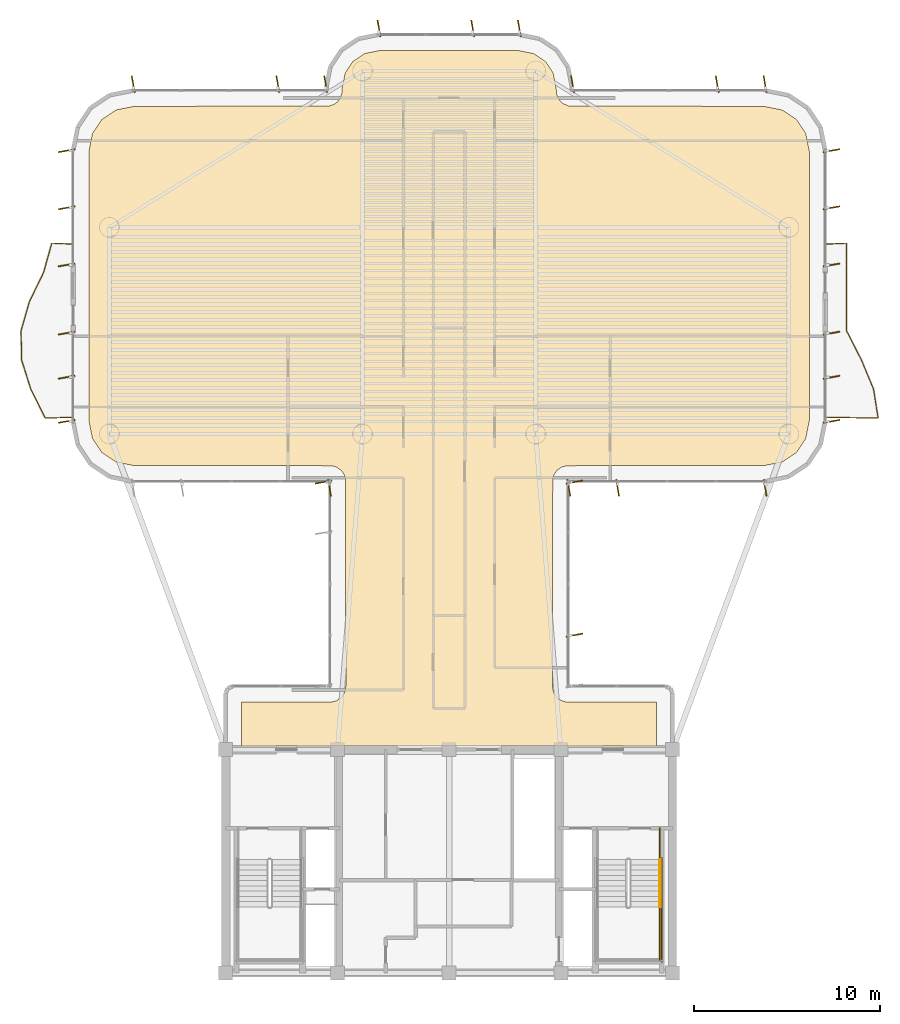
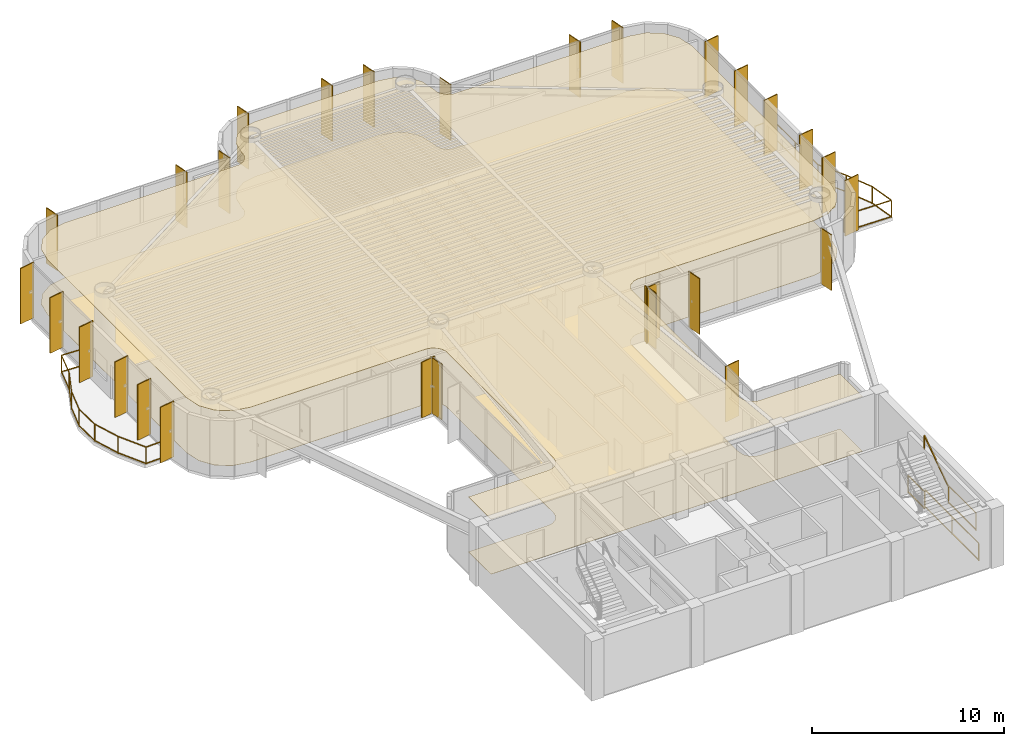
# One storey, part 14 of 14: 28 shading devices, 6 railings, 2 coverings.
"""IFC4 building model written with IfcOpenShell, lengths in metres."""

from ifc_helpers import new_model, si_unit, direction, frame, origin, origin_2d, place, context, subcontext, project, spatial, polyline, rectangle, outline, extrude, source, transform, mapped, material, layer, layer_set, material_profile, profile_set, type_object, element, save


model = new_model("IFC4")

# Units and contexts
model_context = context("Model", 3, precision=1e-05, world=origin(), true_north=direction((0.0, 1.0)))
body_context = subcontext(model_context, "Body", "Model", "MODEL_VIEW")
ifc_project = project(units=[si_unit("LENGTHUNIT", "METRE"), si_unit("AREAUNIT", "SQUARE_METRE"), si_unit("VOLUMEUNIT", "CUBIC_METRE"), si_unit("PLANEANGLEUNIT", "RADIAN"), si_unit("MASSUNIT", "GRAM", prefix="KILO")], contexts=[model_context])

# Site, building, storey
site_placement = place(None, origin())
site = spatial("IfcSite", under=ifc_project, at=site_placement, CompositionType="ELEMENT")
building_placement = place(site_placement, origin())
building = spatial("IfcBuilding", under=site, at=building_placement, Name="Brelvock Crest Care Tower", CompositionType="ELEMENT")
storey_placement = place(building_placement, frame((0.0, 0.0, 179.10009765625)))
storey = spatial("IfcBuildingStorey", under=building, at=storey_placement, Name="L45", CompositionType="ELEMENT", Elevation=179.10009765625)

# Coverings
ifc_material_1 = material(Name="Mineral Fibre Acoustic Ceiling Tile", Category="gypsum")
ifc_layer_1 = layer(ifc_material_1, 0.02490234375, Name="COV-CLG1")
ifc_layer_set_1 = layer_set([ifc_layer_1], Name="Mineral Fibre Acoustic Ceiling Tile")
covering_type_1 = type_object("IfcCoveringType", Name="COV-CLG1", PredefinedType="CEILING", material=ifc_layer_set_1)
covering_1_placement = place(storey_placement, frame((0.0, 0.0, 3.474853515625)))
element("IfcCovering", 1, at=covering_1_placement, inside=storey, type_object=covering_type_1, Name="L45 Acoustic Suspended Ceiling 1", PredefinedType="CEILING", context=body_context, shape_type="SweptSolid", body=[
    extrude(outline(polyline([(24.85009765625, 18.199951171875), (47.14990234375, 18.199951171875), (47.14990234375, 20.550048828125), (42.316650390625, 20.55419921875), (42.1533203125, 20.586669921875), (41.927734375, 20.693359375), (41.742919921875, 20.86083984375), (41.61474609375, 21.07470703125), (41.550048828125, 21.39990234375), (41.56640625, 32.56591796875), (41.650390625, 32.80078125), (41.799072265625, 33.0009765625), (42.07470703125, 33.185302734375), (42.316650390625, 33.245849609375), (52.916259765625, 33.25), (53.892822265625, 33.4443359375), (54.64990234375, 33.9501953125), (55.15576171875, 34.70703125), (55.35009765625, 35.68359375), (55.35009765625, 50.1162109375), (55.15576171875, 51.093017578125), (54.64990234375, 51.849853515625), (53.892822265625, 52.355712890625), (52.916259765625, 52.550048828125), (42.43408203125, 52.56640625), (42.127685546875, 52.693359375), (41.9990234375, 52.799072265625), (41.850341796875, 52.999267578125), (41.766357421875, 53.234130859375), (41.75, 53.516357421875), (41.586181640625, 54.33984375), (41.1669921875, 54.967041015625), (40.539794921875, 55.38623046875), (39.71630859375, 55.550048828125), (32.28369140625, 55.550048828125), (31.460205078125, 55.38623046875), (30.8330078125, 54.967041015625), (30.413818359375, 54.33984375), (30.25, 53.516357421875), (30.233642578125, 53.234130859375), (30.149658203125, 52.999267578125), (30.0009765625, 52.799072265625), (29.872314453125, 52.693359375), (29.56591796875, 52.56640625), (19.083740234375, 52.550048828125), (18.107177734375, 52.355712890625), (17.35009765625, 51.849853515625), (16.84423828125, 51.093017578125), (16.64990234375, 50.1162109375), (16.64990234375, 35.68359375), (16.84423828125, 34.70703125), (17.35009765625, 33.9501953125), (18.107177734375, 33.4443359375), (19.083740234375, 33.25), (29.683349609375, 33.245849609375), (29.92529296875, 33.185302734375), (30.200927734375, 33.0009765625), (30.349609375, 32.80078125), (30.43359375, 32.56591796875), (30.449951171875, 21.39990234375), (30.38525390625, 21.07470703125), (30.257080078125, 20.86083984375), (30.13916015625, 20.742919921875), (29.92529296875, 20.61474609375), (29.683349609375, 20.55419921875), (24.85009765625, 20.550048828125), (24.85009765625, 18.199951171875)])), origin(), (0.0, 0.0, 1.0), 0.025146484375),
])
ifc_material_2 = material(Name="Slip-Resistant Acoustic Vinyl Flooring", Category="finish")
ifc_layer_2 = layer(ifc_material_2, 0.014892578125, Name="COV-FLR1")
ifc_layer_set_2 = layer_set([ifc_layer_2], Name="Slip-Resistant Acoustic Vinyl Flooring")
covering_type_2 = type_object("IfcCoveringType", Name="COV-FLR1", PredefinedType="FLOORING", material=ifc_layer_set_2)
covering_2_placement = place(storey_placement, origin())
element("IfcCovering", 2, at=covering_2_placement, inside=storey, type_object=covering_type_2, Name="L45 Slip-Resistant Acoustic Flooring 1", PredefinedType="FLOORING", context=body_context, shape_type="SweptSolid", body=[
    extrude(outline(polyline([(24.85009765625, 18.199951171875), (47.14990234375, 18.199951171875), (47.14990234375, 20.550048828125), (42.316650390625, 20.55419921875), (42.1533203125, 20.586669921875), (41.927734375, 20.693359375), (41.742919921875, 20.86083984375), (41.61474609375, 21.07470703125), (41.550048828125, 21.39990234375), (41.56640625, 32.56591796875), (41.650390625, 32.80078125), (41.799072265625, 33.0009765625), (42.07470703125, 33.185302734375), (42.316650390625, 33.245849609375), (52.916259765625, 33.25), (53.892822265625, 33.4443359375), (54.64990234375, 33.9501953125), (55.15576171875, 34.70703125), (55.35009765625, 35.68359375), (55.35009765625, 50.1162109375), (55.15576171875, 51.093017578125), (54.64990234375, 51.849853515625), (53.892822265625, 52.355712890625), (52.916259765625, 52.550048828125), (42.43408203125, 52.56640625), (42.127685546875, 52.693359375), (41.9990234375, 52.799072265625), (41.850341796875, 52.999267578125), (41.766357421875, 53.234130859375), (41.75, 53.516357421875), (41.586181640625, 54.33984375), (41.1669921875, 54.967041015625), (40.539794921875, 55.38623046875), (39.71630859375, 55.550048828125), (32.28369140625, 55.550048828125), (31.460205078125, 55.38623046875), (30.8330078125, 54.967041015625), (30.413818359375, 54.33984375), (30.25, 53.516357421875), (30.233642578125, 53.234130859375), (30.149658203125, 52.999267578125), (30.0009765625, 52.799072265625), (29.872314453125, 52.693359375), (29.56591796875, 52.56640625), (19.083740234375, 52.550048828125), (18.107177734375, 52.355712890625), (17.35009765625, 51.849853515625), (16.84423828125, 51.093017578125), (16.64990234375, 50.1162109375), (16.64990234375, 35.68359375), (16.84423828125, 34.70703125), (17.35009765625, 33.9501953125), (18.107177734375, 33.4443359375), (19.083740234375, 33.25), (29.683349609375, 33.245849609375), (29.92529296875, 33.185302734375), (30.200927734375, 33.0009765625), (30.349609375, 32.80078125), (30.43359375, 32.56591796875), (30.449951171875, 21.39990234375), (30.38525390625, 21.07470703125), (30.257080078125, 20.86083984375), (30.13916015625, 20.742919921875), (29.92529296875, 20.61474609375), (29.683349609375, 20.55419921875), (24.85009765625, 20.550048828125), (24.85009765625, 18.199951171875)])), origin(), (0.0, 0.0, 1.0), 0.014892578125),
])

# Railings
ifc_material_3 = material(Name="Dark Glass Double Glazed Low-E", Category="glass")
ifc_layer_3 = layer(ifc_material_3, 0.06005859375, Name="RL-BAL1")
ifc_layer_set_3 = layer_set([ifc_layer_3], Name="Dark Glass Double Glazed Low-E")
railing_type_1 = type_object("IfcRailingType", Name="RL-BAL1", PredefinedType="BALUSTRADE", material=ifc_layer_set_3)
railing_1_placement = place(storey_placement, frame((15.760009765625, 35.85009765625, 0.00390625)))
element("IfcRailing", 3, at=railing_1_placement, inside=storey, type_object=railing_type_1, Name="L45 Safety Balustrade WB-W", PredefinedType="BALUSTRADE", context=body_context, shape_type="SweptSolid", body=[
    extrude(rectangle(XDim=0.048095703125, YDim=0.048095703125, at=origin_2d()), frame((-0.001953125, 0.0, 1.09619140625), z_axis=(-0.999404799616, -0.034497050669, 0.0), x_axis=(0.034497050669, -0.999404799616, 0.0)), (0.0, 0.0, 1.0), 1.44677734375),
    extrude(rectangle(XDim=0.048095703125, YDim=0.048095703125, at=origin_2d()), frame((-0.001953125, 0.0, 0.054931640625), z_axis=(-0.999404799616, -0.034497050669, 0.0), x_axis=(0.034497050669, -0.999404799616, 0.0)), (0.0, 0.0, 1.0), 1.44677734375),
    extrude(rectangle(XDim=0.048095703125, YDim=0.048095703125, at=origin_2d()), frame((-1.450927734375, -0.04833984375, 1.09619140625), z_axis=(-0.44525902638, 0.895401808925, 0.0), x_axis=(-0.895401808925, -0.44525902638, 0.0)), (0.0, 0.0, 1.0), 1.74560546875),
    extrude(rectangle(XDim=0.048095703125, YDim=0.048095703125, at=origin_2d()), frame((-1.450927734375, -0.04833984375, 0.054931640625), z_axis=(-0.44525902638, 0.895401808925, 0.0), x_axis=(-0.895401808925, -0.44525902638, 0.0)), (0.0, 0.0, 1.0), 1.74560546875),
    extrude(rectangle(XDim=0.048095703125, YDim=0.048095703125, at=origin_2d()), frame((-2.2294921875, 1.5185546875, 1.09619140625), z_axis=(-0.300533785951, 0.95377116936, 0.0), x_axis=(-0.95377116936, -0.300533785951, 0.0)), (0.0, 0.0, 1.0), 1.638671875),
    extrude(rectangle(XDim=0.048095703125, YDim=0.048095703125, at=origin_2d()), frame((-2.2294921875, 1.5185546875, 0.054931640625), z_axis=(-0.300533785951, 0.95377116936, 0.0), x_axis=(-0.95377116936, -0.300533785951, 0.0)), (0.0, 0.0, 1.0), 1.638671875),
    extrude(rectangle(XDim=0.048095703125, YDim=0.048095703125, at=origin_2d()), frame((-2.72265625, 3.085205078125, 1.09619140625), z_axis=(-0.016983680628, 0.999855766895, 0.0), x_axis=(-0.999855766895, -0.016983680628, 0.0)), (0.0, 0.0, 1.0), 1.56298828125),
    extrude(rectangle(XDim=0.048095703125, YDim=0.048095703125, at=origin_2d()), frame((-2.72265625, 3.085205078125, 0.054931640625), z_axis=(-0.016983680628, 0.999855766895, 0.0), x_axis=(-0.999855766895, -0.016983680628, 0.0)), (0.0, 0.0, 1.0), 1.56298828125),
    extrude(rectangle(XDim=0.048095703125, YDim=0.048095703125, at=origin_2d()), frame((-2.748779296875, 4.65185546875, 1.09619140625), z_axis=(0.275907910991, 0.961184074282, 0.0), x_axis=(-0.961184074282, 0.275907910991, 0.0)), (0.0, 0.0, 1.0), 1.6259765625),
    extrude(rectangle(XDim=0.048095703125, YDim=0.048095703125, at=origin_2d()), frame((-2.748779296875, 4.65185546875, 0.054931640625), z_axis=(0.275907910991, 0.961184074282, 0.0), x_axis=(-0.961184074282, 0.275907910991, 0.0)), (0.0, 0.0, 1.0), 1.6259765625),
    extrude(rectangle(XDim=0.048095703125, YDim=0.048095703125, at=origin_2d()), frame((-2.298583984375, 6.21826171875, 1.09619140625), z_axis=(0.437036809921, 0.899443620675, 0.0), x_axis=(-0.899443620675, 0.437036809921, 0.0)), (0.0, 0.0, 1.0), 1.73779296875),
    extrude(rectangle(XDim=0.048095703125, YDim=0.048095703125, at=origin_2d()), frame((-2.298583984375, 6.21826171875, 0.054931640625), z_axis=(0.437036809921, 0.899443620675, 0.0), x_axis=(-0.899443620675, 0.437036809921, 0.0)), (0.0, 0.0, 1.0), 1.73779296875),
    extrude(rectangle(XDim=0.048095703125, YDim=0.048095703125, at=origin_2d()), frame((-1.537841796875, 7.78515625, 1.09619140625), z_axis=(0.269384986944, 0.963032568924, 0.0), x_axis=(-0.963032568924, 0.269384986944, 0.0)), (0.0, 0.0, 1.0), 1.622802734375),
    extrude(rectangle(XDim=0.048095703125, YDim=0.048095703125, at=origin_2d()), frame((-1.537841796875, 7.78515625, 0.054931640625), z_axis=(0.269384986944, 0.963032568924, 0.0), x_axis=(-0.963032568924, 0.269384986944, 0.0)), (0.0, 0.0, 1.0), 1.622802734375),
    extrude(rectangle(XDim=0.048095703125, YDim=0.048095703125, at=origin_2d()), frame((-1.09814453125, 9.349853515625, 1.09619140625), z_axis=(0.998966710972, -0.045447886318, 0.0), x_axis=(0.045447886318, 0.998966710972, 0.0)), (0.0, 0.0, 1.0), 1.09716796875),
    extrude(rectangle(XDim=0.048095703125, YDim=0.048095703125, at=origin_2d()), frame((-1.09814453125, 9.349853515625, 0.054931640625), z_axis=(0.998966710972, -0.045447886318, 0.0), x_axis=(0.045447886318, 0.998966710972, 0.0)), (0.0, 0.0, 1.0), 1.09716796875),
    extrude(rectangle(XDim=0.0419921875, YDim=0.0419921875, at=origin_2d()), origin(), (0.0, 0.0, 1.0), 1.070068359375),
    extrude(rectangle(XDim=0.0419921875, YDim=0.0419921875, at=origin_2d()), frame((-1.449951171875, -0.050048828125, 0.0)), (0.0, 0.0, 1.0), 1.070068359375),
    extrude(rectangle(XDim=0.0419921875, YDim=0.0419921875, at=origin_2d()), frame((-2.22900390625, 1.5166015625, 0.0)), (0.0, 0.0, 1.0), 1.070068359375),
    extrude(rectangle(XDim=0.0419921875, YDim=0.0419921875, at=origin_2d()), frame((-2.72265625, 3.083251953125, 0.0)), (0.0, 0.0, 1.0), 1.070068359375),
    extrude(rectangle(XDim=0.0419921875, YDim=0.0419921875, at=origin_2d()), frame((-2.749267578125, 4.64990234375, 0.0)), (0.0, 0.0, 1.0), 1.070068359375),
    extrude(rectangle(XDim=0.0419921875, YDim=0.0419921875, at=origin_2d()), frame((-2.299560546875, 6.216552734375, 0.0)), (0.0, 0.0, 1.0), 1.070068359375),
    extrude(rectangle(XDim=0.0419921875, YDim=0.0419921875, at=origin_2d()), frame((-1.538330078125, 7.783203125, 0.0)), (0.0, 0.0, 1.0), 1.070068359375),
    extrude(rectangle(XDim=0.0419921875, YDim=0.0419921875, at=origin_2d()), frame((-1.10009765625, 9.349853515625, 0.0)), (0.0, 0.0, 1.0), 1.070068359375),
    extrude(rectangle(XDim=0.0419921875, YDim=0.0419921875, at=origin_2d()), frame((0.0, 9.2998046875, 0.0)), (0.0, 0.0, 1.0), 1.070068359375),
])
railing_2_placement = place(storey_placement, frame((56.239990234375, 35.85009765625, 0.00390625)))
element("IfcRailing", 4, at=railing_2_placement, inside=storey, type_object=railing_type_1, Name="L45 Safety Balustrade WB-E", PredefinedType="BALUSTRADE", context=body_context, shape_type="SweptSolid", body=[
    extrude(rectangle(XDim=0.048095703125, YDim=0.048095703125, at=origin_2d()), frame((0.001953125, 0.0, 1.09619140625), z_axis=(0.999840293507, -0.017871415134, 0.0), x_axis=(0.017871415134, 0.999840293507, 0.0)), (0.0, 0.0, 1.0), 2.79638671875),
    extrude(rectangle(XDim=0.048095703125, YDim=0.048095703125, at=origin_2d()), frame((0.001953125, 0.0, 0.054931640625), z_axis=(0.999840293507, -0.017871415134, 0.0), x_axis=(0.017871415134, 0.999840293507, 0.0)), (0.0, 0.0, 1.0), 2.79638671875),
    extrude(rectangle(XDim=0.048095703125, YDim=0.048095703125, at=origin_2d()), frame((2.7998046875, -0.048095703125, 1.09619140625), z_axis=(-0.156081137103, 0.987744237463, 0.0), x_axis=(-0.987744237463, -0.156081137103, 0.0)), (0.0, 0.0, 1.0), 1.58203125),
    extrude(rectangle(XDim=0.048095703125, YDim=0.048095703125, at=origin_2d()), frame((2.7998046875, -0.048095703125, 0.054931640625), z_axis=(-0.156081137103, 0.987744237463, 0.0), x_axis=(-0.987744237463, -0.156081137103, 0.0)), (0.0, 0.0, 1.0), 1.58203125),
    extrude(rectangle(XDim=0.048095703125, YDim=0.048095703125, at=origin_2d()), frame((2.5517578125, 1.5185546875, 1.09619140625), z_axis=(-0.384155606782, 0.923268362817, 0.0), x_axis=(-0.923268362817, -0.384155606782, 0.0)), (0.0, 0.0, 1.0), 1.69287109375),
    extrude(rectangle(XDim=0.048095703125, YDim=0.048095703125, at=origin_2d()), frame((2.5517578125, 1.5185546875, 0.054931640625), z_axis=(-0.384155606782, 0.923268362817, 0.0), x_axis=(-0.923268362817, -0.384155606782, 0.0)), (0.0, 0.0, 1.0), 1.69287109375),
    extrude(rectangle(XDim=0.048095703125, YDim=0.048095703125, at=origin_2d()), frame((1.899658203125, 3.0849609375, 1.09619140625), z_axis=(-0.455023036608, 0.890479666335, 0.0), x_axis=(-0.890479666335, -0.455023036608, 0.0)), (0.0, 0.0, 1.0), 1.75537109375),
    extrude(rectangle(XDim=0.048095703125, YDim=0.048095703125, at=origin_2d()), frame((1.899658203125, 3.0849609375, 0.054931640625), z_axis=(-0.455023036608, 0.890479666335, 0.0), x_axis=(-0.890479666335, -0.455023036608, 0.0)), (0.0, 0.0, 1.0), 1.75537109375),
    extrude(rectangle(XDim=0.048095703125, YDim=0.048095703125, at=origin_2d()), frame((1.10009765625, 4.65185546875, 1.09619140625), z_axis=(0.0, 1.0, 0.0), x_axis=(-1.0, 0.0, 0.0)), (0.0, 0.0, 1.0), 4.696044921875),
    extrude(rectangle(XDim=0.048095703125, YDim=0.048095703125, at=origin_2d()), frame((1.10009765625, 4.65185546875, 0.054931640625), z_axis=(0.0, 1.0, 0.0), x_axis=(-1.0, 0.0, 0.0)), (0.0, 0.0, 1.0), 4.696044921875),
    extrude(rectangle(XDim=0.048095703125, YDim=0.048095703125, at=origin_2d()), frame((1.09814453125, 9.349853515625, 1.09619140625), z_axis=(-0.998966710972, -0.045447886318, 0.0), x_axis=(0.045447886318, -0.998966710972, 0.0)), (0.0, 0.0, 1.0), 1.09716796875),
    extrude(rectangle(XDim=0.048095703125, YDim=0.048095703125, at=origin_2d()), frame((1.09814453125, 9.349853515625, 0.054931640625), z_axis=(-0.998966710972, -0.045447886318, 0.0), x_axis=(0.045447886318, -0.998966710972, 0.0)), (0.0, 0.0, 1.0), 1.09716796875),
    extrude(rectangle(XDim=0.0419921875, YDim=0.0419921875, at=origin_2d()), origin(), (0.0, 0.0, 1.0), 1.070068359375),
    extrude(rectangle(XDim=0.0419921875, YDim=0.0419921875, at=origin_2d()), frame((2.800048828125, -0.050048828125, 0.0)), (0.0, 0.0, 1.0), 1.070068359375),
    extrude(rectangle(XDim=0.0419921875, YDim=0.0419921875, at=origin_2d()), frame((2.552490234375, 1.5166015625, 0.0)), (0.0, 0.0, 1.0), 1.070068359375),
    extrude(rectangle(XDim=0.0419921875, YDim=0.0419921875, at=origin_2d()), frame((1.900634765625, 3.083251953125, 0.0)), (0.0, 0.0, 1.0), 1.070068359375),
    extrude(rectangle(XDim=0.0419921875, YDim=0.0419921875, at=origin_2d()), frame((1.10009765625, 4.64990234375, 0.0)), (0.0, 0.0, 1.0), 1.070068359375),
    extrude(rectangle(XDim=0.0419921875, YDim=0.0419921875, at=origin_2d()), frame((1.10009765625, 7.0, 0.0)), (0.0, 0.0, 1.0), 1.070068359375),
    extrude(rectangle(XDim=0.0419921875, YDim=0.0419921875, at=origin_2d()), frame((1.10009765625, 9.349853515625, 0.0)), (0.0, 0.0, 1.0), 1.070068359375),
    extrude(rectangle(XDim=0.0419921875, YDim=0.0419921875, at=origin_2d()), frame((0.0, 9.2998046875, 0.0)), (0.0, 0.0, 1.0), 1.070068359375),
])
ifc_material_4 = material(Name="Steel Grade 350", Category="steel")
ifc_layer_4 = layer(ifc_material_4, 0.050048828125, Name="RL-STG1")
ifc_layer_set_4 = layer_set([ifc_layer_4], Name="Steel Grade 350")
railing_type_2 = type_object("IfcRailingType", Name="RL-STG1", PredefinedType="GUARDRAIL", material=ifc_layer_set_4)
railing_3_placement = place(storey_placement, frame((47.320068359375, 9.56005859375, 1.889892578125)))
element("IfcRailing", 5, at=railing_3_placement, inside=storey, type_object=railing_type_2, Name="L45 ST-2 stair guard 4", PredefinedType="GUARDRAIL", context=body_context, shape_type="SweptSolid", body=[
    extrude(rectangle(XDim=0.048095703125, YDim=0.048095703125, at=origin_2d()), frame((0.0, -0.001953125, 1.11572265625), z_axis=(0.0, -1.0, 0.0), x_axis=(1.0, 0.0, 0.0)), (0.0, 0.0, 1.0), 2.856201171875),
    extrude(rectangle(XDim=0.048095703125, YDim=0.048095703125, at=origin_2d()), frame((0.0, -0.001953125, 0.054931640625), z_axis=(0.0, -1.0, 0.0), x_axis=(1.0, 0.0, 0.0)), (0.0, 0.0, 1.0), 2.856201171875),
    extrude(rectangle(XDim=0.0419921875, YDim=0.0419921875, at=origin_2d()), origin(), (0.0, 0.0, 1.0), 1.08984375),
    extrude(rectangle(XDim=0.0419921875, YDim=0.0419921875, at=origin_2d()), frame((0.0, -2.860107421875, 0.0)), (0.0, 0.0, 1.0), 1.08984375),
])
railing_4_placement = place(storey_placement, frame((47.320068359375, 13.780029296875, 0.0)))
element("IfcRailing", 6, at=railing_4_placement, inside=storey, type_object=railing_type_2, Name="L45 ST-2 stair guard 9", PredefinedType="GUARDRAIL", context=body_context, shape_type="SweptSolid", body=[
    extrude(rectangle(XDim=0.048095703125, YDim=0.048095703125, at=origin_2d()), frame((0.0, -0.001953125, 1.11572265625), z_axis=(0.0, -1.0, 0.0), x_axis=(1.0, 0.0, 0.0)), (0.0, 0.0, 1.0), 1.696044921875),
    extrude(rectangle(XDim=0.048095703125, YDim=0.048095703125, at=origin_2d()), frame((0.0, -0.001953125, 0.054931640625), z_axis=(0.0, -1.0, 0.0), x_axis=(1.0, 0.0, 0.0)), (0.0, 0.0, 1.0), 1.696044921875),
    extrude(rectangle(XDim=0.0419921875, YDim=0.0419921875, at=origin_2d()), origin(), (0.0, 0.0, 1.0), 1.08984375),
    extrude(rectangle(XDim=0.0419921875, YDim=0.0419921875, at=origin_2d()), frame((0.0, -1.699951171875, 0.0)), (0.0, 0.0, 1.0), 1.08984375),
])
railing_5_placement = place(storey_placement, frame((47.419921875, 12.179931640625, 0.0)))
element("IfcRailing", 7, at=railing_5_placement, inside=storey, type_object=railing_type_2, Name="L45 ST-2 stair guard 11", PredefinedType="GUARDRAIL", context=body_context, shape_type="SweptSolid", body=[
    extrude(rectangle(XDim=0.048095703125, YDim=0.048095703125, at=origin_2d()), frame((0.0, -0.001953125, 1.11572265625), z_axis=(0.0, -1.0, 0.0), x_axis=(1.0, 0.0, 0.0)), (0.0, 0.0, 1.0), 5.575927734375),
    extrude(rectangle(XDim=0.048095703125, YDim=0.048095703125, at=origin_2d()), frame((0.0, -0.001953125, 0.054931640625), z_axis=(0.0, -1.0, 0.0), x_axis=(1.0, 0.0, 0.0)), (0.0, 0.0, 1.0), 5.575927734375),
    extrude(rectangle(XDim=0.0419921875, YDim=0.0419921875, at=origin_2d()), origin(), (0.0, 0.0, 1.0), 1.08984375),
    extrude(rectangle(XDim=0.0419921875, YDim=0.0419921875, at=origin_2d()), frame((0.0, -2.7900390625, 0.0)), (0.0, 0.0, 1.0), 1.08984375),
    extrude(rectangle(XDim=0.0419921875, YDim=0.0419921875, at=origin_2d()), frame((0.0, -5.579833984375, 0.0)), (0.0, 0.0, 1.0), 1.08984375),
])
ifc_layer_5 = layer(ifc_material_4, 0.048095703125, Name="RL-STH1")
ifc_layer_set_5 = layer_set([ifc_layer_5], Name="Steel Grade 350")
railing_type_3 = type_object("IfcRailingType", Name="RL-STH1", PredefinedType="HANDRAIL", material=ifc_layer_set_5)
railing_6_placement = place(storey_placement, frame((47.320068359375, 9.56005859375, 2.078857421875)))
element("IfcRailing", 8, at=railing_6_placement, inside=storey, type_object=railing_type_3, Name="L45 ST-2 stair handrail 2", PredefinedType="HANDRAIL", context=body_context, shape_type="SweptSolid", body=[
    extrude(rectangle(XDim=0.048095703125, YDim=0.048095703125, at=origin_2d()), frame((0.0, 0.001708984375, 0.876953125), z_axis=(0.0, 0.828861706735, 0.559453546873), x_axis=(-1.0, 0.0, 0.0)), (0.0, 0.0, 1.0), 3.036376953125),
    extrude(rectangle(XDim=0.0419921875, YDim=0.0419921875, at=origin_2d()), origin(), (0.0, 0.0, 1.0), 0.849853515625),
    extrude(rectangle(XDim=0.0419921875, YDim=0.0419921875, at=origin_2d()), frame((0.0, 2.52001953125, 1.700927734375)), (0.0, 0.0, 1.0), 0.849853515625),
])

# Shading devices
ifc_material_5 = material(Name="Aluminium 6063-T6", Category="aluminium")
ifc_material_profile = material_profile(ifc_material_5, rectangle(XDim=0.054931640625, YDim=0.89990234375, at=origin_2d()), Name="FIN55x900")
ifc_profile_set = profile_set([ifc_material_profile], Name="Aluminium 6063-T6")
shading_device_type = type_object("IfcShadingDeviceType", Name="SHD-FIN1", PredefinedType="USERDEFINED", material=ifc_profile_set)
shared_shape = source(origin(), body_context, "Body", "SweptSolid", [
    extrude(rectangle(XDim=0.054931640625, YDim=0.89990234375, at=origin_2d()), origin(), (0.0, 0.0, 1.0), 3.52978515625),
])
for number, where, z_axis, x_axis, name in (
    (9, (29.260009765625, 32.3701171875, 0.0), (0.0, 0.0, 1.0), (-0.173648177667, 0.984807753012, 0.0), "L45 Vertical Sunshade Fin E11-05"),
    (10, (29.570068359375, 32.06005859375, 0.0), (0.0, 0.0, 1.0), (-0.984807753012, -0.173648177667, 0.0), "L45 Vertical Sunshade Fin E12-01"),
    (11, (15.4599609375, 35.6298828125, 0.0), (0.0, 0.0, 1.0), (-0.173648177667, 0.984807753012, 0.0), "L45 Vertical Sunshade Fin E17A-01"),
    (12, (15.4599609375, 38.0, 0.0), (0.0, 0.0, 1.0), (-0.173648177667, 0.984807753012, 0.0), "L45 Vertical Sunshade Fin E17A-02"),
    (13, (15.4599609375, 40.3701171875, 0.0), (0.0, 0.0, 1.0), (-0.173648177667, 0.984807753012, 0.0), "L45 Vertical Sunshade Fin E17A-03"),
    (14, (15.4599609375, 44.030029296875, 0.0), (0.0, 0.0, 1.0), (-0.173648177667, 0.984807753012, 0.0), "L45 Vertical Sunshade Fin E17B-01"),
    (15, (15.4599609375, 47.10009765625, 0.0), (0.0, 0.0, 1.0), (-0.173648177667, 0.984807753012, 0.0), "L45 Vertical Sunshade Fin E17B-02"),
    (16, (15.4599609375, 50.169921875, 0.0), (0.0, 0.0, 1.0), (-0.173648177667, 0.984807753012, 0.0), "L45 Vertical Sunshade Fin E17B-03"),
    (17, (19.030029296875, 53.739990234375, 0.0), (0.0, 0.0, 1.0), (0.984807753012, 0.173648177667, 0.0), "L45 Vertical Sunshade Fin E22-01"),
    (18, (26.800048828125, 53.739990234375, 0.0), (0.0, 0.0, 1.0), (0.984807753012, 0.173648177667, 0.0), "L45 Vertical Sunshade Fin E22-04"),
    (19, (29.3701171875, 53.739990234375, 0.0), (0.0, 0.0, 1.0), (0.984807753012, 0.173648177667, 0.0), "L45 Vertical Sunshade Fin E22-05"),
    (20, (32.22998046875, 56.739990234375, 0.0), (0.0, 0.0, 1.0), (0.984807753012, 0.173648177667, 0.0), "L45 Vertical Sunshade Fin E28-01"),
    (21, (37.2666015625, 56.739990234375, 0.0), (0.0, 0.0, 1.0), (0.984807753012, 0.173648177667, 0.0), "L45 Vertical Sunshade Fin E28-03"),
    (22, (39.77001953125, 56.739990234375, 0.0), (0.0, 0.0, 1.0), (0.984807753012, 0.173648177667, 0.0), "L45 Vertical Sunshade Fin E28-04"),
    (23, (42.6298828125, 53.739990234375, 0.0), (0.0, 0.0, 1.0), (0.984807753012, 0.173648177667, 0.0), "L45 Vertical Sunshade Fin E34-01"),
    (24, (50.39990234375, 53.739990234375, 0.0), (0.0, 0.0, 1.0), (0.984807753012, 0.173648177667, 0.0), "L45 Vertical Sunshade Fin E34-04"),
    (25, (52.969970703125, 53.739990234375, 0.0), (0.0, 0.0, 1.0), (0.984807753012, 0.173648177667, 0.0), "L45 Vertical Sunshade Fin E34-05"),
    (26, (56.5400390625, 50.169921875, 0.0), (0.0, 0.0, 1.0), (0.173648177667, -0.984807753012, 0.0), "L45 Vertical Sunshade Fin E39A-01"),
    (27, (56.5400390625, 47.10009765625, 0.0), (0.0, 0.0, 1.0), (0.173648177667, -0.984807753012, 0.0), "L45 Vertical Sunshade Fin E39A-02"),
    (28, (56.5400390625, 44.030029296875, 0.0), (0.0, 0.0, 1.0), (0.173648177667, -0.984807753012, 0.0), "L45 Vertical Sunshade Fin E39A-03"),
    (29, (56.5400390625, 40.3701171875, 0.0), (0.0, 0.0, 1.0), (0.173648177667, -0.984807753012, 0.0), "L45 Vertical Sunshade Fin E39B-01"),
    (30, (56.5400390625, 38.0, 0.0), (0.0, 0.0, 1.0), (0.173648177667, -0.984807753012, 0.0), "L45 Vertical Sunshade Fin E39B-02"),
    (31, (56.5400390625, 35.6298828125, 0.0), (0.0, 0.0, 1.0), (0.173648177667, -0.984807753012, 0.0), "L45 Vertical Sunshade Fin E39B-03"),
    (32, (52.969970703125, 32.06005859375, 0.0), (0.0, 0.0, 1.0), (-0.984807753012, -0.173648177667, 0.0), "L45 Vertical Sunshade Fin E44-01"),
    (33, (45.050048828125, 32.06005859375, 0.0), (0.0, 0.0, 1.0), (-0.984807753012, -0.173648177667, 0.0), "L45 Vertical Sunshade Fin E44-04"),
    (34, (42.429931640625, 32.06005859375, 0.0), (0.0, 0.0, 1.0), (-0.984807753012, -0.173648177667, 0.0), "L45 Vertical Sunshade Fin E44-05"),
    (35, (42.739990234375, 32.3701171875, 0.0), (0.0, 0.0, 1.0), (0.173648177667, -0.984807753012, 0.0), "L45 Vertical Sunshade Fin E45-01"),
    (36, (42.739990234375, 24.14990234375, 0.0), (0.0, 0.0, 1.0), (0.173648177667, -0.984807753012, 0.0), "L45 Vertical Sunshade Fin E45-04"),
):
    element("IfcShadingDevice", number, at=place(storey_placement, frame(where, z_axis=z_axis, x_axis=x_axis)), inside=storey, type_object=shading_device_type, Name=name, ObjectType="FIN", PredefinedType="USERDEFINED", context=body_context, shape_type="MappedRepresentation", body=[
        mapped(shared_shape, transform((0.0, 0.0, 0.0), x_axis=(1.0, 0.0, 0.0), y_axis=(0.0, 1.0, 0.0), z_axis=(0.0, 0.0, 1.0), scale=1.0)),
    ])

save(model, "model.ifc")
